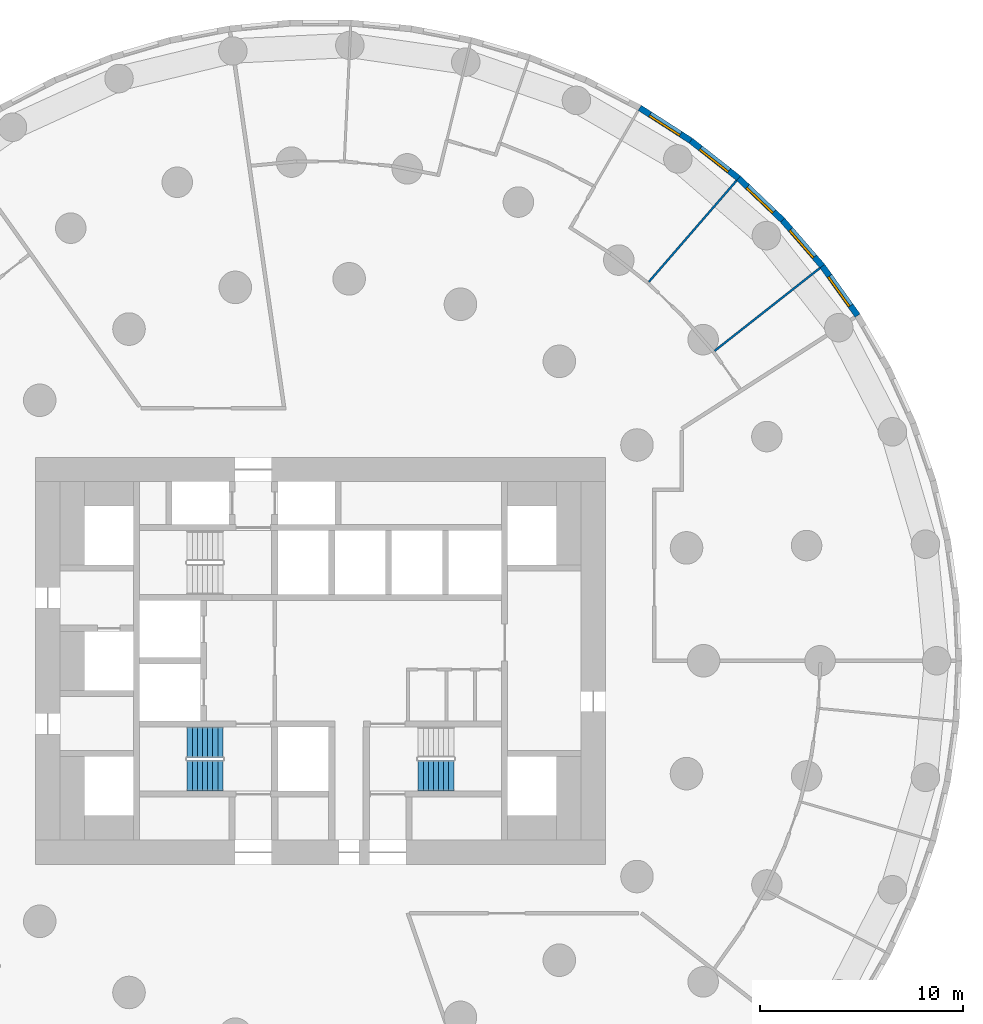
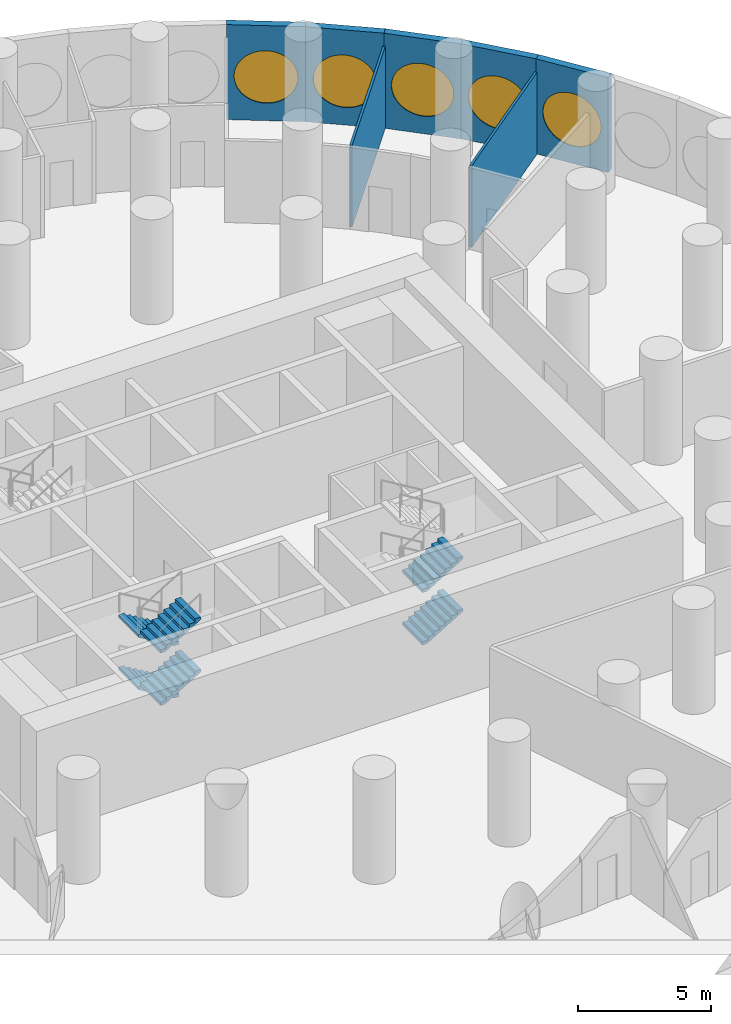
# One storey, part 9 of 11: 7 walls, 6 stair flights, 5 windows, 5 openings, 2 elements without a shape of their own.
"""IFC4 building model written with IfcOpenShell, lengths in metres."""

import ifcopenshell
import ifcopenshell.guid

model = None  # the IFC model being written
_history = None  # IfcOwnerHistory: only IFC2X3 demands one
_inside = {}  # id of a spatial element -> (the spatial element, [elements in it])
_under = {}  # id of a project, library or spatial element -> (it, [spatial elements below it])
_declared = {}  # id of a project -> (the project, [libraries it declares])
_typed = {}  # id of a type object -> (the type object, [elements of that type])
_made_of = {}  # id of a material, layer set ... -> (it, [elements and type objects made of it])


def new_model(schema):
    """Start an empty IFC model of exactly this schema.

    Asked for "IFC4X3", IfcOpenShell would pick the latest addendum, in which some entities
    have other attributes; the version numbers below select the first issue.
    IFC2X3 requires an IfcOwnerHistory on every rooted entity: one is made here for all.
    """
    global model, _history
    if schema == "IFC4X3":
        model = ifcopenshell.file(schema_version=(4, 3, 0, 0))
    else:
        model = ifcopenshell.file(schema=schema)
    _inside.clear()
    _under.clear()
    _declared.clear()
    _typed.clear()
    _made_of.clear()
    _history = None
    if model.schema == "IFC2X3":
        org = make("IfcOrganization", Name="unknown")
        user = make(
            "IfcPersonAndOrganization",
            ThePerson=make("IfcPerson", FamilyName="unknown"),
            TheOrganization=org,
        )
        app = make(
            "IfcApplication",
            ApplicationDeveloper=org,
            Version="unknown",
            ApplicationFullName="unknown",
            ApplicationIdentifier="unknown",
        )
        _history = make(
            "IfcOwnerHistory",
            OwningUser=user,
            OwningApplication=app,
            ChangeAction="ADDED",
            CreationDate=0,
        )
    return model


def make(cls, **values):
    """One entity of the class cls with the attributes given. An attribute that is None is left unset."""
    return model.create_entity(
        cls, **{name: value for name, value in values.items() if value is not None}
    )


def rooted(cls, **values):
    """An entity with a GlobalId (a new one), such as an element, a storey or a relation."""
    return make(cls, GlobalId=ifcopenshell.guid.new(), OwnerHistory=_history, **values)


def si_unit(unit_type, name, prefix=None):
    """IfcSIUnit, for example si_unit("LENGTHUNIT", "METRE", prefix="MILLI")."""
    return make("IfcSIUnit", UnitType=unit_type, Prefix=prefix, Name=name)


def assignment(units):
    """IfcUnitAssignment: the units of a project."""
    return None if units is None else make("IfcUnitAssignment", Units=units)


def point(xyz):
    """IfcCartesianPoint."""
    return None if xyz is None else make("IfcCartesianPoint", Coordinates=xyz)


def direction(xyz):
    """IfcDirection."""
    return None if xyz is None else make("IfcDirection", DirectionRatios=xyz)


def frame(location, z_axis=None, x_axis=None):
    """IfcAxis2Placement3D, a coordinate frame: its origin and axes. An axis left out is left unset."""
    return make(
        "IfcAxis2Placement3D",
        Location=point(location),
        Axis=direction(z_axis),
        RefDirection=direction(x_axis),
    )


def frame_2d(location, x_axis=None):
    """IfcAxis2Placement2D, a coordinate frame in the plane: its origin and x axis."""
    return make(
        "IfcAxis2Placement2D", Location=point(location), RefDirection=direction(x_axis)
    )


def origin():
    """The frame at (0, 0, 0) with its axes left unset."""
    return frame((0.0, 0.0, 0.0))


def origin_2d():
    """The frame at (0, 0) in the plane with its x axis left unset."""
    return frame_2d((0.0, 0.0))


def place(relative_to, where):
    """IfcLocalPlacement: puts the frame where relative to a parent placement (None: the world)."""
    return make(
        "IfcLocalPlacement", PlacementRelTo=relative_to, RelativePlacement=where
    )


def context(
    kind, dimensions, precision=None, world=None, true_north=None, identifier=None
):
    """IfcGeometricRepresentationContext, for example the 3D "Model" context."""
    return make(
        "IfcGeometricRepresentationContext",
        ContextIdentifier=identifier,
        ContextType=kind,
        CoordinateSpaceDimension=dimensions,
        Precision=precision,
        WorldCoordinateSystem=world,
        TrueNorth=true_north,
    )


def subcontext(parent, identifier, kind, view, scale=None):
    """IfcGeometricRepresentationSubContext, for example "Body" below "Model"."""
    return make(
        "IfcGeometricRepresentationSubContext",
        ContextIdentifier=identifier,
        ContextType=kind,
        ParentContext=parent,
        TargetScale=scale,
        TargetView=view,
    )


def project(units=None, contexts=None):
    """IfcProject with its units and contexts."""
    return rooted(
        "IfcProject",
        Name="project",
        RepresentationContexts=contexts,
        UnitsInContext=assignment(units),
    )


def spatial(cls, under=None, at=None, **own):
    """A site, building, storey or space (cls), placed at a placement, below another one or the project."""
    s = rooted(cls, ObjectPlacement=at, **own)
    if under is not None:
        _under.setdefault(under.id(), (under, []))[1].append(s)
    return s


def polyline(points):
    """IfcPolyline through the points."""
    return make("IfcPolyline", Points=[point(p) for p in points])


def profile(cls, at=None, kind="AREA", **sizes):
    """A parametric profile (cls). Its sizes go by their IFC names, for example OverallWidth=200.0."""
    return make(cls, ProfileType=kind, Position=at, **sizes)


def rectangle(**sizes):
    """IfcRectangleProfileDef."""
    return profile("IfcRectangleProfileDef", **sizes)


def circle(**sizes):
    """IfcCircleProfileDef."""
    return profile("IfcCircleProfileDef", **sizes)


def outline(outer, holes=None, kind="AREA"):
    """IfcArbitraryClosedProfileDef: a profile drawn as a closed curve; with holes, ...WithVoids."""
    if holes is None:
        return make("IfcArbitraryClosedProfileDef", ProfileType=kind, OuterCurve=outer)
    return make(
        "IfcArbitraryProfileDefWithVoids",
        ProfileType=kind,
        OuterCurve=outer,
        InnerCurves=holes,
    )


def extrude(swept, where, along, depth):
    """IfcExtrudedAreaSolid: the profile swept, set in the frame where, extruded along a direction by depth."""
    return make(
        "IfcExtrudedAreaSolid",
        SweptArea=swept,
        Position=where,
        ExtrudedDirection=direction(along),
        Depth=depth,
    )


def shape(context_of_items, identifier, shape_type, items):
    """IfcShapeRepresentation: the items that make up one representation, for example the "Body"."""
    return make(
        "IfcShapeRepresentation",
        ContextOfItems=context_of_items,
        RepresentationIdentifier=identifier,
        RepresentationType=shape_type,
        Items=items,
    )


def material(Name=None, Category=None):
    """IfcMaterial."""
    return make("IfcMaterial", Name=Name, Category=Category)


def layer(
    of_material, thickness, ventilated=None, Name=None, Category=None, Priority=None
):
    """IfcMaterialLayer: one layer of a wall or slab, of a material (None: an air gap)."""
    return make(
        "IfcMaterialLayer",
        Material=of_material,
        LayerThickness=thickness,
        IsVentilated=ventilated,
        Name=Name,
        Category=Category,
        Priority=Priority,
    )


def layer_set(layers, Name=None):
    """IfcMaterialLayerSet."""
    return make("IfcMaterialLayerSet", MaterialLayers=layers, LayerSetName=Name)


def made_of(thing, what):
    """Note that an element or type object is made of a material, layer set ...; save() writes the relation."""
    if what is not None:
        _made_of.setdefault(what.id(), (what, []))[1].append(thing)
    return thing


def type_object(cls, material=None, **own):
    """A type object (cls), such as IfcWallType, which elements share."""
    return made_of(rooted(cls, **own), material)


def element(
    cls,
    number,
    at=None,
    inside=None,
    cuts=None,
    type_object=None,
    material=None,
    context=None,
    identifier="Body",
    shape_type=None,
    held_by="IfcProductDefinitionShape",
    body=None,
    shapes=None,
    **own,
):
    """One element of the class cls, such as IfcWall. Its Tag is "e" and its number.

    at: its placement. inside: the storey or other place that contains it. cuts: it is an
    opening in that element (IfcRelVoidsElement). A single representation is given by context,
    identifier, shape_type and body (its items); several are given by shapes. held_by: the class
    of the entity that holds the representations. save() writes the other relations.
    """
    e = rooted(cls, Tag="e%d" % number, ObjectPlacement=at, **own)
    if body is not None:
        shapes = [shape(context, identifier, shape_type, body)]
    if shapes is not None:
        e.Representation = make(held_by, Representations=shapes)
    if inside is not None:
        _inside.setdefault(inside.id(), (inside, []))[1].append(e)
    if cuts is not None:
        rooted(
            "IfcRelVoidsElement", RelatingBuildingElement=cuts, RelatedOpeningElement=e
        )
    if type_object is not None:
        _typed.setdefault(type_object.id(), (type_object, []))[1].append(e)
    return made_of(e, material)


def fill(opening, filler):
    """IfcRelFillsElement: the door or window that sits in an opening."""
    return rooted(
        "IfcRelFillsElement",
        RelatingOpeningElement=opening,
        RelatedBuildingElement=filler,
    )


def aggregate(whole, parts):
    """IfcRelAggregates: a whole, such as a stair, and the parts it consists of."""
    return rooted("IfcRelAggregates", RelatingObject=whole, RelatedObjects=parts)


def save(model, path):
    """Write the relations noted so far, then the file.

    IfcRelAggregates (storeys below a building ...), IfcRelContainedInSpatialStructure (elements
    in a storey), IfcRelDefinesByType, IfcRelAssociatesMaterial and IfcRelDeclares: one each for
    every whole, place, type object, material and project.
    """
    for whole, parts in _under.values():
        aggregate(whole, parts)
    for where, things in _inside.values():
        rooted(
            "IfcRelContainedInSpatialStructure",
            RelatedElements=things,
            RelatingStructure=where,
        )
    for kind, things in _typed.values():
        rooted("IfcRelDefinesByType", RelatedObjects=things, RelatingType=kind)
    for what, things in _made_of.values():
        rooted("IfcRelAssociatesMaterial", RelatedObjects=things, RelatingMaterial=what)
    for by, libraries in _declared.values():
        rooted("IfcRelDeclares", RelatingContext=by, RelatedDefinitions=libraries)
    model.write(path)


model = new_model("IFC4")

# Units and contexts
model_context = context("Model", 3, precision=1e-05, world=origin(), true_north=direction((0.0, 1.0)))
body_context = subcontext(model_context, "Body", "Model", "MODEL_VIEW")
ifc_project = project(units=[si_unit("LENGTHUNIT", "METRE"), si_unit("AREAUNIT", "SQUARE_METRE"), si_unit("VOLUMEUNIT", "CUBIC_METRE"), si_unit("PLANEANGLEUNIT", "RADIAN"), si_unit("MASSUNIT", "GRAM", prefix="KILO")], contexts=[model_context])

# Site, building, storey
site_placement = place(None, origin())
site = spatial("IfcSite", under=ifc_project, at=site_placement, CompositionType="ELEMENT")
building_placement = place(site_placement, origin())
building = spatial("IfcBuilding", under=site, at=building_placement, Name="Tracery Tower", CompositionType="ELEMENT")
storey_placement = place(building_placement, frame((0.0, 0.0, 9.0)))
storey = spatial("IfcBuildingStorey", under=building, at=storey_placement, Name="L01", CompositionType="ELEMENT", Elevation=9.0)

# Wall, opening, window
ifc_material_1 = material(Name="Precast concrete C50/60", Category="concrete")
ifc_layer_1 = layer(ifc_material_1, 0.300048828125)
ifc_layer_set_1 = layer_set([ifc_layer_1], Name="Facade panel 3000 x 4350")
wall_type_1 = type_object("IfcWallType", Name="Facade panel 3000 x 4350", PredefinedType="SOLIDWALL", material=ifc_layer_set_1)
wall_1_placement = place(storey_placement, frame((26.393798828125, 16.96240234375, 0.0), z_axis=(0.0, 0.0, 1.0), x_axis=(-0.580100533892, 0.814544885551, 0.0)))
wall_1 = element("IfcWall", 1, at=wall_1_placement, inside=storey, type_object=wall_type_1, Name="Facade panel 7 at L01", PredefinedType="SOLIDWALL", context=body_context, shape_type="SweptSolid", body=[
    extrude(rectangle(XDim=2.985595703125, YDim=0.300048828125, at=frame_2d((1.49267578125, 0.0))), origin(), (0.0, 0.0, 1.0), 4.35009765625),
])
opening_1_placement = place(wall_1_placement, frame((1.492919921875, 0.0, 2.0)))
opening_1 = element("IfcOpeningElement", 2, at=opening_1_placement, cuts=wall_1, Name="Opening WN2", PredefinedType="OPENING", context=body_context, shape_type="SweptSolid", body=[
    extrude(circle(Radius=1.199951171875, at=origin_2d()), frame((0.0, 0.159912109375, 0.0), z_axis=(0.0, -1.0, 0.0), x_axis=(1.0, 0.0, 0.0)), (0.0, 0.0, 1.0), 0.320068359375),
])
ifc_material_2 = material(Name="Aluminium frame with tinted double glazing", Category="aluminium")
window_type = type_object("IfcWindowType", Name="Round window 2400", PartitioningType="SINGLE_PANEL", PredefinedType="WINDOW", material=ifc_material_2)
window_1_placement = place(opening_1_placement, origin())
window_1 = element("IfcWindow", 3, at=window_1_placement, inside=storey, type_object=window_type, Name="Round window 7 at L01", OverallHeight=2.39990234375, OverallWidth=2.39990234375, PartitioningType="SINGLE_PANEL", PredefinedType="WINDOW", context=body_context, shape_type="SweptSolid", body=[
    extrude(circle(Radius=1.199951171875, at=origin_2d()), frame((0.0, 0.1201171875, 0.0), z_axis=(0.0, -1.0, 0.0), x_axis=(1.0, 0.0, 0.0)), (0.0, 0.0, 1.0), 0.10009765625),
])
fill(opening_1, window_1)

wall_2_placement = place(storey_placement, frame((24.661865234375, 19.394287109375, 0.0), z_axis=(0.0, 0.0, 1.0), x_axis=(-0.654809121128, 0.755794294029, 0.0)))
wall_2 = element("IfcWall", 4, at=wall_2_placement, inside=storey, type_object=wall_type_1, Name="Facade panel 8 at L01", PredefinedType="SOLIDWALL", context=body_context, shape_type="SweptSolid", body=[
    extrude(rectangle(XDim=2.98583984375, YDim=0.300048828125, at=frame_2d((1.492919921875, 0.0))), origin(), (0.0, 0.0, 1.0), 4.35009765625),
])
opening_2_placement = place(wall_2_placement, frame((1.492919921875, 0.0, 2.0)))
opening_2 = element("IfcOpeningElement", 5, at=opening_2_placement, cuts=wall_2, Name="Opening WN2", PredefinedType="OPENING", context=body_context, shape_type="SweptSolid", body=[
    extrude(circle(Radius=1.199951171875, at=origin_2d()), frame((0.0, 0.159912109375, 0.0), z_axis=(0.0, -1.0, 0.0), x_axis=(1.0, 0.0, 0.0)), (0.0, 0.0, 1.0), 0.320068359375),
])
window_2_placement = place(opening_2_placement, origin())
window_2 = element("IfcWindow", 6, at=window_2_placement, inside=storey, type_object=window_type, Name="Round window 8 at L01", OverallHeight=2.39990234375, OverallWidth=2.39990234375, PartitioningType="SINGLE_PANEL", PredefinedType="WINDOW", context=body_context, shape_type="SweptSolid", body=[
    extrude(circle(Radius=1.199951171875, at=origin_2d()), frame((0.0, 0.1201171875, 0.0), z_axis=(0.0, -1.0, 0.0), x_axis=(1.0, 0.0, 0.0)), (0.0, 0.0, 1.0), 0.10009765625),
])
fill(opening_2, window_2)

wall_3_placement = place(storey_placement, frame((22.706787109375, 21.65087890625, 0.0), z_axis=(0.0, 0.0, 1.0), x_axis=(-0.723750841228, 0.690061388444, 0.0)))
wall_3 = element("IfcWall", 7, at=wall_3_placement, inside=storey, type_object=wall_type_1, Name="Facade panel 9 at L01", PredefinedType="SOLIDWALL", context=body_context, shape_type="SweptSolid", body=[
    extrude(rectangle(XDim=2.985595703125, YDim=0.300048828125, at=frame_2d((1.49267578125, 0.0))), origin(), (0.0, 0.0, 1.0), 4.35009765625),
])
opening_3_placement = place(wall_3_placement, frame((1.492919921875, 0.0, 2.0)))
opening_3 = element("IfcOpeningElement", 8, at=opening_3_placement, cuts=wall_3, Name="Opening WN2", PredefinedType="OPENING", context=body_context, shape_type="SweptSolid", body=[
    extrude(circle(Radius=1.199951171875, at=origin_2d()), frame((0.0, 0.159912109375, 0.0), z_axis=(0.0, -1.0, 0.0), x_axis=(1.0, 0.0, 0.0)), (0.0, 0.0, 1.0), 0.320068359375),
])
window_3_placement = place(opening_3_placement, origin())
window_3 = element("IfcWindow", 9, at=window_3_placement, inside=storey, type_object=window_type, Name="Round window 9 at L01", OverallHeight=2.39990234375, OverallWidth=2.39990234375, PartitioningType="SINGLE_PANEL", PredefinedType="WINDOW", context=body_context, shape_type="SweptSolid", body=[
    extrude(circle(Radius=1.199951171875, at=origin_2d()), frame((0.0, 0.1201171875, 0.0), z_axis=(0.0, -1.0, 0.0), x_axis=(1.0, 0.0, 0.0)), (0.0, 0.0, 1.0), 0.10009765625),
])
fill(opening_3, window_3)

wall_4_placement = place(storey_placement, frame((20.5458984375, 23.711181640625, 0.0), z_axis=(0.0, 0.0, 1.0), x_axis=(-0.786043032847, 0.618171780747, 0.0)))
wall_4 = element("IfcWall", 10, at=wall_4_placement, inside=storey, type_object=wall_type_1, Name="Facade panel 10 at L01", PredefinedType="SOLIDWALL", context=body_context, shape_type="SweptSolid", body=[
    extrude(rectangle(XDim=2.98583984375, YDim=0.300048828125, at=frame_2d((1.492919921875, 0.0))), origin(), (0.0, 0.0, 1.0), 4.35009765625),
])
opening_4_placement = place(wall_4_placement, frame((1.492919921875, 0.0, 2.0)))
opening_4 = element("IfcOpeningElement", 11, at=opening_4_placement, cuts=wall_4, Name="Opening WN2", PredefinedType="OPENING", context=body_context, shape_type="SweptSolid", body=[
    extrude(circle(Radius=1.199951171875, at=origin_2d()), frame((0.0, 0.159912109375, 0.0), z_axis=(0.0, -1.0, 0.0), x_axis=(1.0, 0.0, 0.0)), (0.0, 0.0, 1.0), 0.320068359375),
])
window_4_placement = place(opening_4_placement, origin())
window_4 = element("IfcWindow", 12, at=window_4_placement, inside=storey, type_object=window_type, Name="Round window 10 at L01", OverallHeight=2.39990234375, OverallWidth=2.39990234375, PartitioningType="SINGLE_PANEL", PredefinedType="WINDOW", context=body_context, shape_type="SweptSolid", body=[
    extrude(circle(Radius=1.199951171875, at=origin_2d()), frame((0.0, 0.1201171875, 0.0), z_axis=(0.0, -1.0, 0.0), x_axis=(1.0, 0.0, 0.0)), (0.0, 0.0, 1.0), 0.10009765625),
])
fill(opening_4, window_4)

wall_5_placement = place(storey_placement, frame((18.198974609375, 25.556884765625, 0.0), z_axis=(0.0, 0.0, 1.0), x_axis=(-0.841242231846, 0.540658401727, 0.0)))
wall_5 = element("IfcWall", 13, at=wall_5_placement, inside=storey, type_object=wall_type_1, Name="Facade panel 11 at L01", PredefinedType="SOLIDWALL", context=body_context, shape_type="SweptSolid", body=[
    extrude(rectangle(XDim=2.98583984375, YDim=0.300048828125, at=frame_2d((1.492919921875, 0.0))), origin(), (0.0, 0.0, 1.0), 4.35009765625),
])
opening_5_placement = place(wall_5_placement, frame((1.492919921875, 0.0, 2.0)))
opening_5 = element("IfcOpeningElement", 14, at=opening_5_placement, cuts=wall_5, Name="Opening WN2", PredefinedType="OPENING", context=body_context, shape_type="SweptSolid", body=[
    extrude(circle(Radius=1.199951171875, at=origin_2d()), frame((0.0, 0.159912109375, 0.0), z_axis=(0.0, -1.0, 0.0), x_axis=(1.0, 0.0, 0.0)), (0.0, 0.0, 1.0), 0.320068359375),
])
window_5_placement = place(opening_5_placement, origin())
window_5 = element("IfcWindow", 15, at=window_5_placement, inside=storey, type_object=window_type, Name="Round window 11 at L01", OverallHeight=2.39990234375, OverallWidth=2.39990234375, PartitioningType="SINGLE_PANEL", PredefinedType="WINDOW", context=body_context, shape_type="SweptSolid", body=[
    extrude(circle(Radius=1.199951171875, at=origin_2d()), frame((0.0, 0.1201171875, 0.0), z_axis=(0.0, -1.0, 0.0), x_axis=(1.0, 0.0, 0.0)), (0.0, 0.0, 1.0), 0.10009765625),
])
fill(opening_5, window_5)

# Walls
ifc_material_3 = material(Name="Plasterboard on steel studs", Category="steel")
ifc_layer_2 = layer(ifc_material_3, 0.10009765625)
ifc_layer_set_2 = layer_set([ifc_layer_2], Name="Stud partition 100")
wall_type_2 = type_object("IfcWallType", Name="Stud partition 100", PredefinedType="PARTITIONING", material=ifc_layer_set_2)
wall_6_placement = place(storey_placement, frame((20.447509765625, 23.59765625, 0.0), z_axis=(0.0, 0.0, 1.0), x_axis=(-0.654862756926, -0.755747821427, 0.0)))
element("IfcWall", 16, at=wall_6_placement, inside=storey, type_object=wall_type_2, Name="Stud partition 100", PredefinedType="PARTITIONING", context=body_context, shape_type="SweptSolid", body=[
    extrude(rectangle(XDim=6.582275390625, YDim=0.10009765625, at=frame_2d((3.291015625, 0.0))), origin(), (0.0, 0.0, 1.0), 3.75),
])
wall_7_placement = place(storey_placement, frame((24.5439453125, 19.301513671875, 0.0), z_axis=(0.0, 0.0, 1.0), x_axis=(-0.786055722677, -0.618155644515, 0.0)))
element("IfcWall", 17, at=wall_7_placement, inside=storey, type_object=wall_type_2, Name="Stud partition 100", PredefinedType="PARTITIONING", context=body_context, shape_type="SweptSolid", body=[
    extrude(rectangle(XDim=6.58251953125, YDim=0.10009765625, at=frame_2d((3.291259765625, 0.0))), origin(), (0.0, 0.0, 1.0), 3.75),
])

# Stair, stair flights
ifc_material_4 = material(Name="Concrete C32/40", Category="concrete")
stair_type = type_object("IfcStairType", Name="Core stair 32 risers", PredefinedType="HALF_TURN_STAIR", material=ifc_material_4)
stair_1_placement = place(storey_placement, origin())
stair_1 = element("IfcStair", 18, at=stair_1_placement, inside=storey, type_object=stair_type, Name="L01 stair ST1", PredefinedType="HALF_TURN_STAIR")
ifc_material_5 = material(Name="Concrete C32/40", Category="concrete")
stair_flight_type = type_object("IfcStairFlightType", Name="Core stair flight 8 risers", PredefinedType="STRAIGHT", material=ifc_material_5)
stair_flight_1_placement = place(storey_placement, frame((-4.800048828125, -4.0, 0.0), z_axis=(0.0, 0.0, 1.0), x_axis=(-1.0, 0.0, 0.0)))
stair_flight_1 = element("IfcStairFlight", 19, at=stair_flight_1_placement, type_object=stair_flight_type, Name="ST1 flight 1", NumberOfRisers=8, NumberOfTreads=7, PredefinedType="STRAIGHT", RiserHeight=0.15, TreadLength=0.25, context=body_context, shape_type="SweptSolid", body=[
    extrude(outline(polyline([(0.0, 0.0), (0.0, 0.00244140625), (0.0, 0.0048828125), (0.0, 0.00732421875), (0.0, 0.009765625), (0.0, 0.01220703125), (0.0, 0.0146484375), (0.0, 0.017333984375), (0.0, 0.019775390625), (0.0, 0.022216796875), (0.0, 0.024658203125), (0.0, 0.027099609375), (0.0, 0.029541015625), (0.0, 0.031982421875), (0.0, 0.034423828125), (0.0, 0.036865234375), (0.0, 0.039306640625), (0.0, 0.041748046875), (0.0, 0.044189453125), (0.0, 0.046630859375), (0.0, 0.049072265625), (0.0, 0.0517578125), (0.0, 0.05419921875), (0.0, 0.056640625), (0.0, 0.05908203125), (0.0, 0.0615234375), (0.0, 0.06396484375), (0.0, 0.06640625), (0.0, 0.06884765625), (0.0, 0.0712890625), (0.0, 0.07373046875), (0.0, 0.076171875), (0.0, 0.07861328125), (0.0, 0.0810546875), (0.0, 0.08349609375), (0.0, 0.086181640625), (0.0, 0.088623046875), (0.0, 0.091064453125), (0.0, 0.093505859375), (0.0, 0.095947265625), (0.0, 0.098388671875), (0.0, 0.100830078125), (0.0, 0.103271484375), (0.0, 0.105712890625), (0.0, 0.108154296875), (0.0, 0.110595703125), (0.0, 0.113037109375), (0.0, 0.115478515625), (0.0, 0.117919921875), (0.0, 0.12060546875), (0.0, 0.123046875), (0.0, 0.12548828125), (0.0, 0.1279296875), (0.0, 0.13037109375), (0.0, 0.1328125), (0.0, 0.13525390625), (0.0, 0.1376953125), (0.0, 0.14013671875), (0.0, 0.142578125), (0.0, 0.14501953125), (0.0, 0.1474609375), (0.0, 0.14990234375), (0.25, 0.14990234375), (0.25, 0.300048828125), (0.5, 0.300048828125), (0.5, 0.449951171875), (0.75, 0.449951171875), (0.75, 0.60009765625), (1.0, 0.60009765625), (1.0, 0.75), (1.25, 0.75), (1.25, 0.89990234375), (1.5, 0.89990234375), (1.5, 1.050048828125), (1.75, 1.050048828125), (1.75, 1.048095703125), (1.75, 1.046142578125), (1.75, 1.044189453125), (1.75, 1.042236328125), (1.75, 1.04052734375), (1.75, 1.03857421875), (1.75, 1.03662109375), (1.75, 1.03466796875), (1.75, 1.03271484375), (1.75, 1.03076171875), (1.75, 1.029052734375), (1.75, 1.027099609375), (1.75, 1.025146484375), (1.75, 1.023193359375), (1.75, 1.021240234375), (1.75, 1.019287109375), (1.75, 1.017578125), (1.75, 1.015625), (1.75, 1.013671875), (1.75, 1.01171875), (1.75, 1.009765625), (1.75, 1.0078125), (1.75, 1.006103515625), (1.75, 1.004150390625), (1.75, 1.002197265625), (1.75, 1.000244140625), (1.75, 0.998291015625), (1.75, 0.996337890625), (1.75, 0.994384765625), (1.75, 0.99267578125), (1.75, 0.99072265625), (1.75, 0.98876953125), (1.75, 0.98681640625), (1.75, 0.98486328125), (1.75, 0.98291015625), (1.75, 0.981201171875), (1.75, 0.979248046875), (1.75, 0.977294921875), (1.75, 0.975341796875), (1.75, 0.973388671875), (1.75, 0.971435546875), (1.75, 0.9697265625), (1.75, 0.9677734375), (1.75, 0.9658203125), (1.75, 0.9638671875), (1.75, 0.9619140625), (1.75, 0.9599609375), (1.75, 0.958251953125), (1.75, 0.956298828125), (1.75, 0.954345703125), (1.75, 0.952392578125), (1.75, 0.950439453125), (1.75, 0.948486328125), (1.75, 0.94677734375), (1.75, 0.94482421875), (1.75, 0.94287109375), (1.75, 0.94091796875), (1.75, 0.93896484375), (1.75, 0.93701171875), (1.75, 0.935302734375), (1.75, 0.933349609375), (0.194580078125, 0.0), (0.0, 0.0)])), frame((0.0, 0.75, 0.0), z_axis=(0.0, -1.0, 0.0), x_axis=(1.0, 0.0, 0.0)), (0.0, 0.0, 1.0), 1.5),
])
stair_flight_2_placement = place(storey_placement, frame((-6.550048828125, -5.64990234375, 1.199951171875), z_axis=(0.0, 0.0, 1.0), x_axis=(1.0, 0.0, 0.0)))
stair_flight_2 = element("IfcStairFlight", 20, at=stair_flight_2_placement, type_object=stair_flight_type, Name="ST1 flight 2", NumberOfRisers=8, NumberOfTreads=7, PredefinedType="STRAIGHT", RiserHeight=0.15, TreadLength=0.25, context=body_context, shape_type="SweptSolid", body=[
    extrude(outline(polyline([(0.0, 0.0), (0.0, 0.00244140625), (0.0, 0.0048828125), (0.0, 0.00732421875), (0.0, 0.009765625), (0.0, 0.01220703125), (0.0, 0.0146484375), (0.0, 0.017333984375), (0.0, 0.019775390625), (0.0, 0.022216796875), (0.0, 0.024658203125), (0.0, 0.027099609375), (0.0, 0.029541015625), (0.0, 0.031982421875), (0.0, 0.034423828125), (0.0, 0.036865234375), (0.0, 0.039306640625), (0.0, 0.041748046875), (0.0, 0.044189453125), (0.0, 0.046630859375), (0.0, 0.049072265625), (0.0, 0.0517578125), (0.0, 0.05419921875), (0.0, 0.056640625), (0.0, 0.05908203125), (0.0, 0.0615234375), (0.0, 0.06396484375), (0.0, 0.06640625), (0.0, 0.06884765625), (0.0, 0.0712890625), (0.0, 0.07373046875), (0.0, 0.076171875), (0.0, 0.07861328125), (0.0, 0.0810546875), (0.0, 0.08349609375), (0.0, 0.086181640625), (0.0, 0.088623046875), (0.0, 0.091064453125), (0.0, 0.093505859375), (0.0, 0.095947265625), (0.0, 0.098388671875), (0.0, 0.100830078125), (0.0, 0.103271484375), (0.0, 0.105712890625), (0.0, 0.108154296875), (0.0, 0.110595703125), (0.0, 0.113037109375), (0.0, 0.115478515625), (0.0, 0.117919921875), (0.0, 0.12060546875), (0.0, 0.123046875), (0.0, 0.12548828125), (0.0, 0.1279296875), (0.0, 0.13037109375), (0.0, 0.1328125), (0.0, 0.13525390625), (0.0, 0.1376953125), (0.0, 0.14013671875), (0.0, 0.142578125), (0.0, 0.14501953125), (0.0, 0.1474609375), (0.0, 0.14990234375), (0.25, 0.14990234375), (0.25, 0.300048828125), (0.5, 0.300048828125), (0.5, 0.449951171875), (0.75, 0.449951171875), (0.75, 0.60009765625), (1.0, 0.60009765625), (1.0, 0.75), (1.25, 0.75), (1.25, 0.89990234375), (1.5, 0.89990234375), (1.5, 1.050048828125), (1.75, 1.050048828125), (1.75, 1.048095703125), (1.75, 1.046142578125), (1.75, 1.044189453125), (1.75, 1.042236328125), (1.75, 1.04052734375), (1.75, 1.03857421875), (1.75, 1.03662109375), (1.75, 1.03466796875), (1.75, 1.03271484375), (1.75, 1.03076171875), (1.75, 1.029052734375), (1.75, 1.027099609375), (1.75, 1.025146484375), (1.75, 1.023193359375), (1.75, 1.021240234375), (1.75, 1.019287109375), (1.75, 1.017578125), (1.75, 1.015625), (1.75, 1.013671875), (1.75, 1.01171875), (1.75, 1.009765625), (1.75, 1.0078125), (1.75, 1.006103515625), (1.75, 1.004150390625), (1.75, 1.002197265625), (1.75, 1.000244140625), (1.75, 0.998291015625), (1.75, 0.996337890625), (1.75, 0.994384765625), (1.75, 0.99267578125), (1.75, 0.99072265625), (1.75, 0.98876953125), (1.75, 0.98681640625), (1.75, 0.98486328125), (1.75, 0.98291015625), (1.75, 0.981201171875), (1.75, 0.979248046875), (1.75, 0.977294921875), (1.75, 0.975341796875), (1.75, 0.973388671875), (1.75, 0.971435546875), (1.75, 0.9697265625), (1.75, 0.9677734375), (1.75, 0.9658203125), (1.75, 0.9638671875), (1.75, 0.9619140625), (1.75, 0.9599609375), (1.75, 0.958251953125), (1.75, 0.956298828125), (1.75, 0.954345703125), (1.75, 0.952392578125), (1.75, 0.950439453125), (1.75, 0.948486328125), (1.75, 0.94677734375), (1.75, 0.94482421875), (1.75, 0.94287109375), (1.75, 0.94091796875), (1.75, 0.93896484375), (1.75, 0.93701171875), (1.75, 0.935302734375), (1.75, 0.933349609375), (0.194580078125, 0.0), (0.0, 0.0)])), frame((0.0, 0.75, 0.0), z_axis=(0.0, -1.0, 0.0), x_axis=(1.0, 0.0, 0.0)), (0.0, 0.0, 1.0), 1.5),
])
stair_flight_3_placement = place(storey_placement, frame((-4.800048828125, -4.0, 2.39990234375), z_axis=(0.0, 0.0, 1.0), x_axis=(-1.0, 0.0, 0.0)))
stair_flight_3 = element("IfcStairFlight", 21, at=stair_flight_3_placement, type_object=stair_flight_type, Name="ST1 flight 3", NumberOfRisers=8, NumberOfTreads=7, PredefinedType="STRAIGHT", RiserHeight=0.15, TreadLength=0.25, context=body_context, shape_type="SweptSolid", body=[
    extrude(outline(polyline([(0.0, 0.0), (0.0, 0.00244140625), (0.0, 0.0048828125), (0.0, 0.00732421875), (0.0, 0.009765625), (0.0, 0.01220703125), (0.0, 0.0146484375), (0.0, 0.017333984375), (0.0, 0.019775390625), (0.0, 0.022216796875), (0.0, 0.024658203125), (0.0, 0.027099609375), (0.0, 0.029541015625), (0.0, 0.031982421875), (0.0, 0.034423828125), (0.0, 0.036865234375), (0.0, 0.039306640625), (0.0, 0.041748046875), (0.0, 0.044189453125), (0.0, 0.046630859375), (0.0, 0.049072265625), (0.0, 0.0517578125), (0.0, 0.05419921875), (0.0, 0.056640625), (0.0, 0.05908203125), (0.0, 0.0615234375), (0.0, 0.06396484375), (0.0, 0.06640625), (0.0, 0.06884765625), (0.0, 0.0712890625), (0.0, 0.07373046875), (0.0, 0.076171875), (0.0, 0.07861328125), (0.0, 0.0810546875), (0.0, 0.08349609375), (0.0, 0.086181640625), (0.0, 0.088623046875), (0.0, 0.091064453125), (0.0, 0.093505859375), (0.0, 0.095947265625), (0.0, 0.098388671875), (0.0, 0.100830078125), (0.0, 0.103271484375), (0.0, 0.105712890625), (0.0, 0.108154296875), (0.0, 0.110595703125), (0.0, 0.113037109375), (0.0, 0.115478515625), (0.0, 0.117919921875), (0.0, 0.12060546875), (0.0, 0.123046875), (0.0, 0.12548828125), (0.0, 0.1279296875), (0.0, 0.13037109375), (0.0, 0.1328125), (0.0, 0.13525390625), (0.0, 0.1376953125), (0.0, 0.14013671875), (0.0, 0.142578125), (0.0, 0.14501953125), (0.0, 0.1474609375), (0.0, 0.14990234375), (0.25, 0.14990234375), (0.25, 0.300048828125), (0.5, 0.300048828125), (0.5, 0.449951171875), (0.75, 0.449951171875), (0.75, 0.60009765625), (1.0, 0.60009765625), (1.0, 0.75), (1.25, 0.75), (1.25, 0.89990234375), (1.5, 0.89990234375), (1.5, 1.050048828125), (1.75, 1.050048828125), (1.75, 1.048095703125), (1.75, 1.046142578125), (1.75, 1.044189453125), (1.75, 1.042236328125), (1.75, 1.04052734375), (1.75, 1.03857421875), (1.75, 1.03662109375), (1.75, 1.03466796875), (1.75, 1.03271484375), (1.75, 1.03076171875), (1.75, 1.029052734375), (1.75, 1.027099609375), (1.75, 1.025146484375), (1.75, 1.023193359375), (1.75, 1.021240234375), (1.75, 1.019287109375), (1.75, 1.017578125), (1.75, 1.015625), (1.75, 1.013671875), (1.75, 1.01171875), (1.75, 1.009765625), (1.75, 1.0078125), (1.75, 1.006103515625), (1.75, 1.004150390625), (1.75, 1.002197265625), (1.75, 1.000244140625), (1.75, 0.998291015625), (1.75, 0.996337890625), (1.75, 0.994384765625), (1.75, 0.99267578125), (1.75, 0.99072265625), (1.75, 0.98876953125), (1.75, 0.98681640625), (1.75, 0.98486328125), (1.75, 0.98291015625), (1.75, 0.981201171875), (1.75, 0.979248046875), (1.75, 0.977294921875), (1.75, 0.975341796875), (1.75, 0.973388671875), (1.75, 0.971435546875), (1.75, 0.9697265625), (1.75, 0.9677734375), (1.75, 0.9658203125), (1.75, 0.9638671875), (1.75, 0.9619140625), (1.75, 0.9599609375), (1.75, 0.958251953125), (1.75, 0.956298828125), (1.75, 0.954345703125), (1.75, 0.952392578125), (1.75, 0.950439453125), (1.75, 0.948486328125), (1.75, 0.94677734375), (1.75, 0.94482421875), (1.75, 0.94287109375), (1.75, 0.94091796875), (1.75, 0.93896484375), (1.75, 0.93701171875), (1.75, 0.935302734375), (1.75, 0.933349609375), (0.194580078125, 0.0), (0.0, 0.0)])), frame((0.0, 0.75, 0.0), z_axis=(0.0, -1.0, 0.0), x_axis=(1.0, 0.0, 0.0)), (0.0, 0.0, 1.0), 1.5),
])
stair_flight_4_placement = place(storey_placement, frame((-6.550048828125, -5.64990234375, 3.60009765625), z_axis=(0.0, 0.0, 1.0), x_axis=(1.0, 0.0, 0.0)))
stair_flight_4 = element("IfcStairFlight", 22, at=stair_flight_4_placement, type_object=stair_flight_type, Name="ST1 flight 4", NumberOfRisers=8, NumberOfTreads=7, PredefinedType="STRAIGHT", RiserHeight=0.15, TreadLength=0.25, context=body_context, shape_type="SweptSolid", body=[
    extrude(outline(polyline([(0.0, 0.0), (0.0, 0.00244140625), (0.0, 0.0048828125), (0.0, 0.00732421875), (0.0, 0.009765625), (0.0, 0.01220703125), (0.0, 0.0146484375), (0.0, 0.017333984375), (0.0, 0.019775390625), (0.0, 0.022216796875), (0.0, 0.024658203125), (0.0, 0.027099609375), (0.0, 0.029541015625), (0.0, 0.031982421875), (0.0, 0.034423828125), (0.0, 0.036865234375), (0.0, 0.039306640625), (0.0, 0.041748046875), (0.0, 0.044189453125), (0.0, 0.046630859375), (0.0, 0.049072265625), (0.0, 0.0517578125), (0.0, 0.05419921875), (0.0, 0.056640625), (0.0, 0.05908203125), (0.0, 0.0615234375), (0.0, 0.06396484375), (0.0, 0.06640625), (0.0, 0.06884765625), (0.0, 0.0712890625), (0.0, 0.07373046875), (0.0, 0.076171875), (0.0, 0.07861328125), (0.0, 0.0810546875), (0.0, 0.08349609375), (0.0, 0.086181640625), (0.0, 0.088623046875), (0.0, 0.091064453125), (0.0, 0.093505859375), (0.0, 0.095947265625), (0.0, 0.098388671875), (0.0, 0.100830078125), (0.0, 0.103271484375), (0.0, 0.105712890625), (0.0, 0.108154296875), (0.0, 0.110595703125), (0.0, 0.113037109375), (0.0, 0.115478515625), (0.0, 0.117919921875), (0.0, 0.12060546875), (0.0, 0.123046875), (0.0, 0.12548828125), (0.0, 0.1279296875), (0.0, 0.13037109375), (0.0, 0.1328125), (0.0, 0.13525390625), (0.0, 0.1376953125), (0.0, 0.14013671875), (0.0, 0.142578125), (0.0, 0.14501953125), (0.0, 0.1474609375), (0.0, 0.14990234375), (0.25, 0.14990234375), (0.25, 0.300048828125), (0.5, 0.300048828125), (0.5, 0.449951171875), (0.75, 0.449951171875), (0.75, 0.60009765625), (1.0, 0.60009765625), (1.0, 0.75), (1.25, 0.75), (1.25, 0.89990234375), (1.5, 0.89990234375), (1.5, 1.050048828125), (1.75, 1.050048828125), (1.75, 1.048095703125), (1.75, 1.046142578125), (1.75, 1.044189453125), (1.75, 1.042236328125), (1.75, 1.04052734375), (1.75, 1.03857421875), (1.75, 1.03662109375), (1.75, 1.03466796875), (1.75, 1.03271484375), (1.75, 1.03076171875), (1.75, 1.029052734375), (1.75, 1.027099609375), (1.75, 1.025146484375), (1.75, 1.023193359375), (1.75, 1.021240234375), (1.75, 1.019287109375), (1.75, 1.017578125), (1.75, 1.015625), (1.75, 1.013671875), (1.75, 1.01171875), (1.75, 1.009765625), (1.75, 1.0078125), (1.75, 1.006103515625), (1.75, 1.004150390625), (1.75, 1.002197265625), (1.75, 1.000244140625), (1.75, 0.998291015625), (1.75, 0.996337890625), (1.75, 0.994384765625), (1.75, 0.99267578125), (1.75, 0.99072265625), (1.75, 0.98876953125), (1.75, 0.98681640625), (1.75, 0.98486328125), (1.75, 0.98291015625), (1.75, 0.981201171875), (1.75, 0.979248046875), (1.75, 0.977294921875), (1.75, 0.975341796875), (1.75, 0.973388671875), (1.75, 0.971435546875), (1.75, 0.9697265625), (1.75, 0.9677734375), (1.75, 0.9658203125), (1.75, 0.9638671875), (1.75, 0.9619140625), (1.75, 0.9599609375), (1.75, 0.958251953125), (1.75, 0.956298828125), (1.75, 0.954345703125), (1.75, 0.952392578125), (1.75, 0.950439453125), (1.75, 0.948486328125), (1.75, 0.94677734375), (1.75, 0.94482421875), (1.75, 0.94287109375), (1.75, 0.94091796875), (1.75, 0.93896484375), (1.75, 0.93701171875), (1.75, 0.935302734375), (1.75, 0.933349609375), (0.194580078125, 0.0), (0.0, 0.0)])), frame((0.0, 0.75, 0.0), z_axis=(0.0, -1.0, 0.0), x_axis=(1.0, 0.0, 0.0)), (0.0, 0.0, 1.0), 1.5),
])
aggregate(stair_1, [stair_flight_1, stair_flight_2, stair_flight_3, stair_flight_4])

stair_2_placement = place(storey_placement, origin())
stair_2 = element("IfcStair", 23, at=stair_2_placement, inside=storey, type_object=stair_type, Name="L01 stair ST2", PredefinedType="HALF_TURN_STAIR")
stair_flight_5_placement = place(storey_placement, frame((4.800048828125, -5.64990234375, 0.0), z_axis=(0.0, 0.0, 1.0), x_axis=(1.0, 0.0, 0.0)))
stair_flight_5 = element("IfcStairFlight", 24, at=stair_flight_5_placement, type_object=stair_flight_type, Name="ST2 flight 1", NumberOfRisers=8, NumberOfTreads=7, PredefinedType="STRAIGHT", RiserHeight=0.15, TreadLength=0.25, context=body_context, shape_type="SweptSolid", body=[
    extrude(outline(polyline([(0.0, 0.0), (0.0, 0.00244140625), (0.0, 0.0048828125), (0.0, 0.00732421875), (0.0, 0.009765625), (0.0, 0.01220703125), (0.0, 0.0146484375), (0.0, 0.017333984375), (0.0, 0.019775390625), (0.0, 0.022216796875), (0.0, 0.024658203125), (0.0, 0.027099609375), (0.0, 0.029541015625), (0.0, 0.031982421875), (0.0, 0.034423828125), (0.0, 0.036865234375), (0.0, 0.039306640625), (0.0, 0.041748046875), (0.0, 0.044189453125), (0.0, 0.046630859375), (0.0, 0.049072265625), (0.0, 0.0517578125), (0.0, 0.05419921875), (0.0, 0.056640625), (0.0, 0.05908203125), (0.0, 0.0615234375), (0.0, 0.06396484375), (0.0, 0.06640625), (0.0, 0.06884765625), (0.0, 0.0712890625), (0.0, 0.07373046875), (0.0, 0.076171875), (0.0, 0.07861328125), (0.0, 0.0810546875), (0.0, 0.08349609375), (0.0, 0.086181640625), (0.0, 0.088623046875), (0.0, 0.091064453125), (0.0, 0.093505859375), (0.0, 0.095947265625), (0.0, 0.098388671875), (0.0, 0.100830078125), (0.0, 0.103271484375), (0.0, 0.105712890625), (0.0, 0.108154296875), (0.0, 0.110595703125), (0.0, 0.113037109375), (0.0, 0.115478515625), (0.0, 0.117919921875), (0.0, 0.12060546875), (0.0, 0.123046875), (0.0, 0.12548828125), (0.0, 0.1279296875), (0.0, 0.13037109375), (0.0, 0.1328125), (0.0, 0.13525390625), (0.0, 0.1376953125), (0.0, 0.14013671875), (0.0, 0.142578125), (0.0, 0.14501953125), (0.0, 0.1474609375), (0.0, 0.14990234375), (0.25, 0.14990234375), (0.25, 0.300048828125), (0.5, 0.300048828125), (0.5, 0.449951171875), (0.75, 0.449951171875), (0.75, 0.60009765625), (1.0, 0.60009765625), (1.0, 0.75), (1.25, 0.75), (1.25, 0.89990234375), (1.5, 0.89990234375), (1.5, 1.050048828125), (1.75, 1.050048828125), (1.75, 1.048095703125), (1.75, 1.046142578125), (1.75, 1.044189453125), (1.75, 1.042236328125), (1.75, 1.04052734375), (1.75, 1.03857421875), (1.75, 1.03662109375), (1.75, 1.03466796875), (1.75, 1.03271484375), (1.75, 1.03076171875), (1.75, 1.029052734375), (1.75, 1.027099609375), (1.75, 1.025146484375), (1.75, 1.023193359375), (1.75, 1.021240234375), (1.75, 1.019287109375), (1.75, 1.017578125), (1.75, 1.015625), (1.75, 1.013671875), (1.75, 1.01171875), (1.75, 1.009765625), (1.75, 1.0078125), (1.75, 1.006103515625), (1.75, 1.004150390625), (1.75, 1.002197265625), (1.75, 1.000244140625), (1.75, 0.998291015625), (1.75, 0.996337890625), (1.75, 0.994384765625), (1.75, 0.99267578125), (1.75, 0.99072265625), (1.75, 0.98876953125), (1.75, 0.98681640625), (1.75, 0.98486328125), (1.75, 0.98291015625), (1.75, 0.981201171875), (1.75, 0.979248046875), (1.75, 0.977294921875), (1.75, 0.975341796875), (1.75, 0.973388671875), (1.75, 0.971435546875), (1.75, 0.9697265625), (1.75, 0.9677734375), (1.75, 0.9658203125), (1.75, 0.9638671875), (1.75, 0.9619140625), (1.75, 0.9599609375), (1.75, 0.958251953125), (1.75, 0.956298828125), (1.75, 0.954345703125), (1.75, 0.952392578125), (1.75, 0.950439453125), (1.75, 0.948486328125), (1.75, 0.94677734375), (1.75, 0.94482421875), (1.75, 0.94287109375), (1.75, 0.94091796875), (1.75, 0.93896484375), (1.75, 0.93701171875), (1.75, 0.935302734375), (1.75, 0.933349609375), (0.194580078125, 0.0), (0.0, 0.0)])), frame((0.0, 0.75, 0.0), z_axis=(0.0, -1.0, 0.0), x_axis=(1.0, 0.0, 0.0)), (0.0, 0.0, 1.0), 1.5),
])
stair_flight_6_placement = place(storey_placement, frame((4.800048828125, -5.64990234375, 2.39990234375), z_axis=(0.0, 0.0, 1.0), x_axis=(1.0, 0.0, 0.0)))
stair_flight_6 = element("IfcStairFlight", 25, at=stair_flight_6_placement, type_object=stair_flight_type, Name="ST2 flight 3", NumberOfRisers=8, NumberOfTreads=7, PredefinedType="STRAIGHT", RiserHeight=0.15, TreadLength=0.25, context=body_context, shape_type="SweptSolid", body=[
    extrude(outline(polyline([(0.0, 0.0), (0.0, 0.00244140625), (0.0, 0.0048828125), (0.0, 0.00732421875), (0.0, 0.009765625), (0.0, 0.01220703125), (0.0, 0.0146484375), (0.0, 0.017333984375), (0.0, 0.019775390625), (0.0, 0.022216796875), (0.0, 0.024658203125), (0.0, 0.027099609375), (0.0, 0.029541015625), (0.0, 0.031982421875), (0.0, 0.034423828125), (0.0, 0.036865234375), (0.0, 0.039306640625), (0.0, 0.041748046875), (0.0, 0.044189453125), (0.0, 0.046630859375), (0.0, 0.049072265625), (0.0, 0.0517578125), (0.0, 0.05419921875), (0.0, 0.056640625), (0.0, 0.05908203125), (0.0, 0.0615234375), (0.0, 0.06396484375), (0.0, 0.06640625), (0.0, 0.06884765625), (0.0, 0.0712890625), (0.0, 0.07373046875), (0.0, 0.076171875), (0.0, 0.07861328125), (0.0, 0.0810546875), (0.0, 0.08349609375), (0.0, 0.086181640625), (0.0, 0.088623046875), (0.0, 0.091064453125), (0.0, 0.093505859375), (0.0, 0.095947265625), (0.0, 0.098388671875), (0.0, 0.100830078125), (0.0, 0.103271484375), (0.0, 0.105712890625), (0.0, 0.108154296875), (0.0, 0.110595703125), (0.0, 0.113037109375), (0.0, 0.115478515625), (0.0, 0.117919921875), (0.0, 0.12060546875), (0.0, 0.123046875), (0.0, 0.12548828125), (0.0, 0.1279296875), (0.0, 0.13037109375), (0.0, 0.1328125), (0.0, 0.13525390625), (0.0, 0.1376953125), (0.0, 0.14013671875), (0.0, 0.142578125), (0.0, 0.14501953125), (0.0, 0.1474609375), (0.0, 0.14990234375), (0.25, 0.14990234375), (0.25, 0.300048828125), (0.5, 0.300048828125), (0.5, 0.449951171875), (0.75, 0.449951171875), (0.75, 0.60009765625), (1.0, 0.60009765625), (1.0, 0.75), (1.25, 0.75), (1.25, 0.89990234375), (1.5, 0.89990234375), (1.5, 1.050048828125), (1.75, 1.050048828125), (1.75, 1.048095703125), (1.75, 1.046142578125), (1.75, 1.044189453125), (1.75, 1.042236328125), (1.75, 1.04052734375), (1.75, 1.03857421875), (1.75, 1.03662109375), (1.75, 1.03466796875), (1.75, 1.03271484375), (1.75, 1.03076171875), (1.75, 1.029052734375), (1.75, 1.027099609375), (1.75, 1.025146484375), (1.75, 1.023193359375), (1.75, 1.021240234375), (1.75, 1.019287109375), (1.75, 1.017578125), (1.75, 1.015625), (1.75, 1.013671875), (1.75, 1.01171875), (1.75, 1.009765625), (1.75, 1.0078125), (1.75, 1.006103515625), (1.75, 1.004150390625), (1.75, 1.002197265625), (1.75, 1.000244140625), (1.75, 0.998291015625), (1.75, 0.996337890625), (1.75, 0.994384765625), (1.75, 0.99267578125), (1.75, 0.99072265625), (1.75, 0.98876953125), (1.75, 0.98681640625), (1.75, 0.98486328125), (1.75, 0.98291015625), (1.75, 0.981201171875), (1.75, 0.979248046875), (1.75, 0.977294921875), (1.75, 0.975341796875), (1.75, 0.973388671875), (1.75, 0.971435546875), (1.75, 0.9697265625), (1.75, 0.9677734375), (1.75, 0.9658203125), (1.75, 0.9638671875), (1.75, 0.9619140625), (1.75, 0.9599609375), (1.75, 0.958251953125), (1.75, 0.956298828125), (1.75, 0.954345703125), (1.75, 0.952392578125), (1.75, 0.950439453125), (1.75, 0.948486328125), (1.75, 0.94677734375), (1.75, 0.94482421875), (1.75, 0.94287109375), (1.75, 0.94091796875), (1.75, 0.93896484375), (1.75, 0.93701171875), (1.75, 0.935302734375), (1.75, 0.933349609375), (0.194580078125, 0.0), (0.0, 0.0)])), frame((0.0, 0.75, 0.0), z_axis=(0.0, -1.0, 0.0), x_axis=(1.0, 0.0, 0.0)), (0.0, 0.0, 1.0), 1.5),
])
aggregate(stair_2, [stair_flight_5, stair_flight_6])

save(model, "model.ifc")
